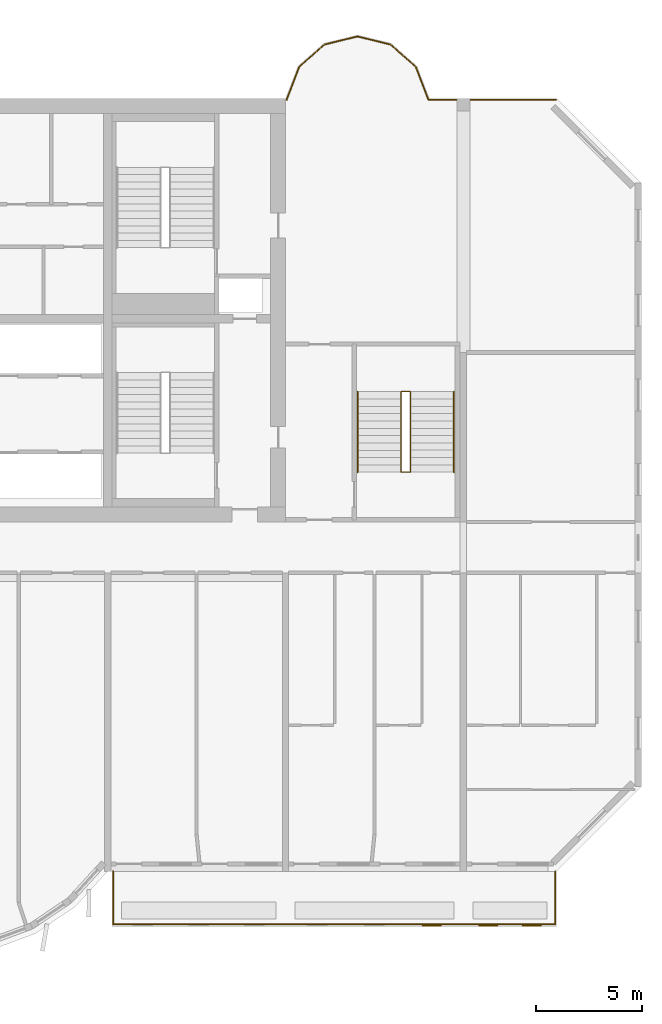
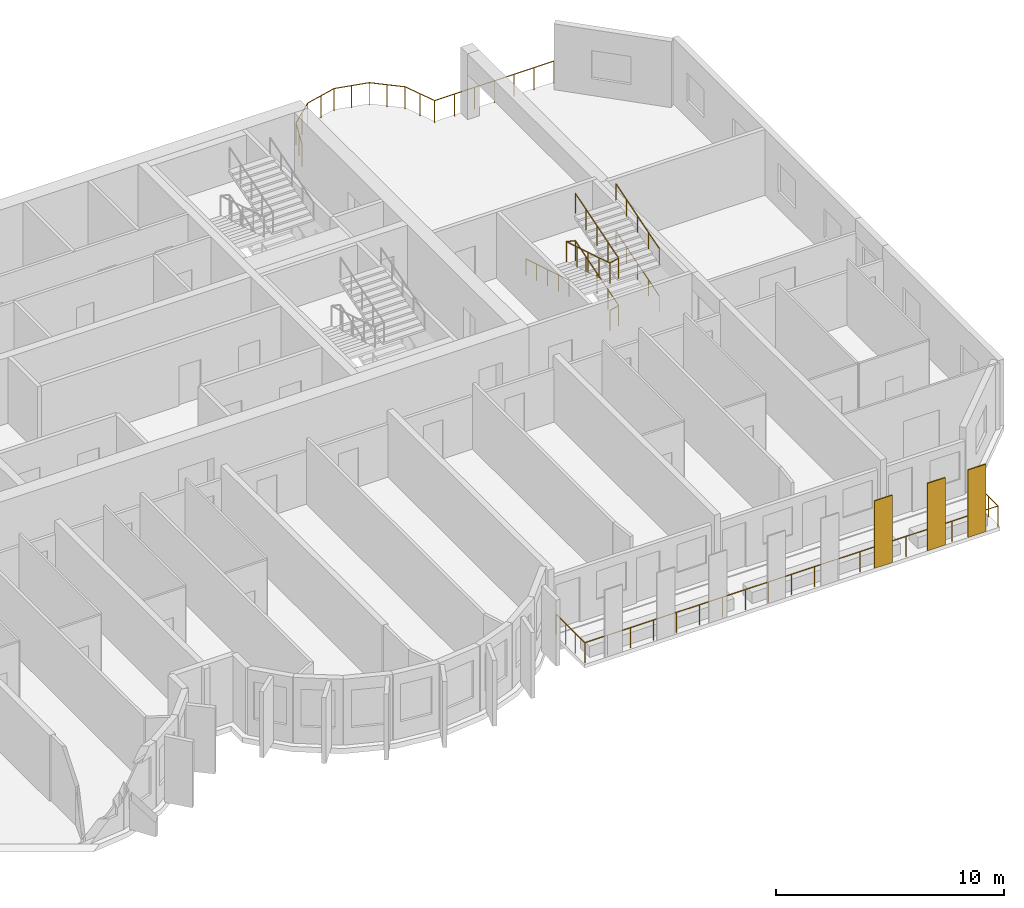
# One storey, part 12 of 13: 6 railings, 3 coverings.
"""IFC4 building model written with IfcOpenShell, lengths in metres."""

from ifc_helpers import new_model, si_unit, direction, frame, origin, origin_2d, place, context, subcontext, project, spatial, rectangle, circle, extrude, source, transform, mapped, material, layer, layer_set, type_object, element, save


model = new_model("IFC4")

# Units and contexts
model_context = context("Model", 3, precision=1e-05, world=origin(), true_north=direction((0.0, 1.0)))
body_context = subcontext(model_context, "Body", "Model", "MODEL_VIEW")
ifc_project = project(units=[si_unit("LENGTHUNIT", "METRE"), si_unit("AREAUNIT", "SQUARE_METRE"), si_unit("VOLUMEUNIT", "CUBIC_METRE"), si_unit("PLANEANGLEUNIT", "RADIAN"), si_unit("MASSUNIT", "GRAM", prefix="KILO")], contexts=[model_context])

# Site, building, storey
site_placement = place(None, origin())
site = spatial("IfcSite", under=ifc_project, at=site_placement, CompositionType="ELEMENT")
building_placement = place(site_placement, origin())
building = spatial("IfcBuilding", under=site, at=building_placement, Name="Vanashikhar Sky Hotel", CompositionType="ELEMENT")
storey_placement = place(building_placement, frame((0.0, 0.0, 170.60009765625)))
storey = spatial("IfcBuildingStorey", under=building, at=storey_placement, Name="L41", CompositionType="ELEMENT", Elevation=170.60009765625)

# Coverings
ifc_material_1 = material(Name="Terracotta", Category="masonry")
ifc_layer = layer(ifc_material_1, 0.06005859375)
ifc_layer_set = layer_set([ifc_layer], Name="Terracotta baguette screen")
covering_type = type_object("IfcCoveringType", Name="Terracotta baguette screen", PredefinedType="CLADDING", material=ifc_layer_set)
shared_shape_1 = source(origin(), body_context, "Body", "SweptSolid", [
    extrude(rectangle(XDim=0.89990234375, YDim=0.06005859375, at=origin_2d()), origin(), (0.0, 0.0, 1.0), 3.60009765625),
])
for number, where, z_axis, x_axis, name in (
    (1, (82.5, 2.929931640625, -0.050048828125), (0.0, 0.0, 1.0), (1.0, 0.0, 0.0), "Terracotta screen"),
    (2, (85.175048828125, 2.929931640625, -0.050048828125), (0.0, 0.0, 1.0), (1.0, 0.0, 0.0), "Terracotta screen"),
    (3, (87.22509765625, 2.929931640625, -0.050048828125), (0.0, 0.0, 1.0), (1.0, 0.0, 0.0), "Terracotta screen"),
):
    element("IfcCovering", number, at=place(storey_placement, frame(where, z_axis=z_axis, x_axis=x_axis)), inside=storey, type_object=covering_type, Name=name, PredefinedType="CLADDING", context=body_context, shape_type="MappedRepresentation", body=[
        mapped(shared_shape_1, transform((0.0, 0.0, 0.0), scale=1.0)),
    ])

# Railings
ifc_material_2 = material(Name="Stainless steel 316", Category="steel")
railing_type_1 = type_object("IfcRailingType", Name="Balcony guard 1100", PredefinedType="GUARDRAIL", material=ifc_material_2)
shared_shape_2 = source(origin(), body_context, "Body", "SweptSolid", [
    extrude(circle(Radius=0.02392578125, at=origin_2d()), frame((0.0, 0.0, 1.076171875), z_axis=(0.0, -1.0, 0.0), x_axis=(1.0, 0.0, 0.0)), (0.0, 0.0, 1.0), 2.5),
    extrude(circle(Radius=0.02392578125, at=origin_2d()), frame((0.0, -2.5, 1.076171875), z_axis=(1.0, 0.0, 0.0), x_axis=(0.0, 1.0, 0.0)), (0.0, 0.0, 1.0), 20.880126953125),
    extrude(circle(Radius=0.02392578125, at=origin_2d()), frame((20.880126953125, -2.5, 1.076171875), z_axis=(0.0, 1.0, 0.0), x_axis=(-1.0, 0.0, 0.0)), (0.0, 0.0, 1.0), 2.5),
    extrude(circle(Radius=0.02099609375, at=origin_2d()), origin(), (0.0, 0.0, 1.0), 1.052001953125),
    extrude(circle(Radius=0.02099609375, at=origin_2d()), frame((0.0, -0.833251953125, 0.0)), (0.0, 0.0, 1.0), 1.052001953125),
    extrude(circle(Radius=0.02099609375, at=origin_2d()), frame((0.0, -1.666748046875, 0.0)), (0.0, 0.0, 1.0), 1.052001953125),
    extrude(circle(Radius=0.02099609375, at=origin_2d()), frame((0.0, -2.5, 0.0)), (0.0, 0.0, 1.0), 1.052001953125),
    extrude(circle(Radius=0.02099609375, at=origin_2d()), frame((1.159912109375, -2.5, 0.0)), (0.0, 0.0, 1.0), 1.052001953125),
    extrude(circle(Radius=0.02099609375, at=origin_2d()), frame((2.320068359375, -2.5, 0.0)), (0.0, 0.0, 1.0), 1.052001953125),
    extrude(circle(Radius=0.02099609375, at=origin_2d()), frame((3.47998046875, -2.5, 0.0)), (0.0, 0.0, 1.0), 1.052001953125),
    extrude(circle(Radius=0.02099609375, at=origin_2d()), frame((4.64013671875, -2.5, 0.0)), (0.0, 0.0, 1.0), 1.052001953125),
    extrude(circle(Radius=0.02099609375, at=origin_2d()), frame((5.800048828125, -2.5, 0.0)), (0.0, 0.0, 1.0), 1.052001953125),
    extrude(circle(Radius=0.02099609375, at=origin_2d()), frame((6.9599609375, -2.5, 0.0)), (0.0, 0.0, 1.0), 1.052001953125),
    extrude(circle(Radius=0.02099609375, at=origin_2d()), frame((8.1201171875, -2.5, 0.0)), (0.0, 0.0, 1.0), 1.052001953125),
    extrude(circle(Radius=0.02099609375, at=origin_2d()), frame((9.280029296875, -2.5, 0.0)), (0.0, 0.0, 1.0), 1.052001953125),
    extrude(circle(Radius=0.02099609375, at=origin_2d()), frame((10.43994140625, -2.5, 0.0)), (0.0, 0.0, 1.0), 1.052001953125),
    extrude(circle(Radius=0.02099609375, at=origin_2d()), frame((11.60009765625, -2.5, 0.0)), (0.0, 0.0, 1.0), 1.052001953125),
    extrude(circle(Radius=0.02099609375, at=origin_2d()), frame((12.760009765625, -2.5, 0.0)), (0.0, 0.0, 1.0), 1.052001953125),
    extrude(circle(Radius=0.02099609375, at=origin_2d()), frame((13.920166015625, -2.5, 0.0)), (0.0, 0.0, 1.0), 1.052001953125),
    extrude(circle(Radius=0.02099609375, at=origin_2d()), frame((15.080078125, -2.5, 0.0)), (0.0, 0.0, 1.0), 1.052001953125),
    extrude(circle(Radius=0.02099609375, at=origin_2d()), frame((16.239990234375, -2.5, 0.0)), (0.0, 0.0, 1.0), 1.052001953125),
    extrude(circle(Radius=0.02099609375, at=origin_2d()), frame((17.400146484375, -2.5, 0.0)), (0.0, 0.0, 1.0), 1.052001953125),
    extrude(circle(Radius=0.02099609375, at=origin_2d()), frame((18.56005859375, -2.5, 0.0)), (0.0, 0.0, 1.0), 1.052001953125),
    extrude(circle(Radius=0.02099609375, at=origin_2d()), frame((19.72021484375, -2.5, 0.0)), (0.0, 0.0, 1.0), 1.052001953125),
    extrude(circle(Radius=0.02099609375, at=origin_2d()), frame((20.880126953125, -2.5, 0.0)), (0.0, 0.0, 1.0), 1.052001953125),
    extrude(circle(Radius=0.02099609375, at=origin_2d()), frame((20.880126953125, -1.666748046875, 0.0)), (0.0, 0.0, 1.0), 1.052001953125),
    extrude(circle(Radius=0.02099609375, at=origin_2d()), frame((20.880126953125, -0.833251953125, 0.0)), (0.0, 0.0, 1.0), 1.052001953125),
    extrude(circle(Radius=0.02099609375, at=origin_2d()), frame((20.880126953125, 0.0, 0.0)), (0.0, 0.0, 1.0), 1.052001953125),
])
railing_1_placement = place(storey_placement, frame((67.4599609375, 5.5, -0.050048828125)))
element("IfcRailing", 4, at=railing_1_placement, inside=storey, type_object=railing_type_1, Name="Balcony guard", PredefinedType="GUARDRAIL", context=body_context, shape_type="MappedRepresentation", body=[
    mapped(shared_shape_2, transform((0.0, 0.0, 0.0), scale=1.0)),
])
railing_type_2 = type_object("IfcRailingType", Name="Refuge terrace guard 1200", PredefinedType="GUARDRAIL", material=ifc_material_2)
shared_shape_3 = source(origin(), body_context, "Body", "SweptSolid", [
    extrude(circle(Radius=0.02392578125, at=origin_2d()), frame((0.0, 0.0, 1.17578125), z_axis=(-1.0, 0.0, 0.0), x_axis=(0.0, -1.0, 0.0)), (0.0, 0.0, 1.0), 6.019287109375),
    extrude(circle(Radius=0.02392578125, at=origin_2d()), frame((-6.019287109375, 0.0, 1.17578125), z_axis=(-0.357682612009, 0.933843214392, 0.0), x_axis=(-0.933843214392, -0.357682612009, 0.0)), (0.0, 0.0, 1.0), 1.666015625),
    extrude(circle(Radius=0.02392578125, at=origin_2d()), frame((-6.615234375, 1.555908203125, 1.17578125), z_axis=(-0.749699987355, 0.661777854692, 0.0), x_axis=(-0.661777854692, -0.749699987355, 0.0)), (0.0, 0.0, 1.0), 1.602294921875),
    extrude(circle(Radius=0.02392578125, at=origin_2d()), frame((-7.81640625, 2.6162109375, 1.17578125), z_axis=(-0.971138901218, 0.238514642196, 0.0), x_axis=(-0.238514642196, -0.971138901218, 0.0)), (0.0, 0.0, 1.0), 1.600830078125),
    extrude(circle(Radius=0.02392578125, at=origin_2d()), frame((-9.37109375, 2.998046875, 1.17578125), z_axis=(-0.971138901218, -0.238514642196, 0.0), x_axis=(0.238514642196, -0.971138901218, 0.0)), (0.0, 0.0, 1.0), 1.600830078125),
    extrude(circle(Radius=0.02392578125, at=origin_2d()), frame((-10.92578125, 2.6162109375, 1.17578125), z_axis=(-0.749699987355, -0.661777854692, 0.0), x_axis=(0.661777854692, -0.749699987355, 0.0)), (0.0, 0.0, 1.0), 1.602294921875),
    extrude(circle(Radius=0.02392578125, at=origin_2d()), frame((-12.126953125, 1.555908203125, 1.17578125), z_axis=(-0.357682612009, -0.933843214392, 0.0), x_axis=(0.933843214392, -0.357682612009, 0.0)), (0.0, 0.0, 1.0), 1.666015625),
    extrude(circle(Radius=0.02099609375, at=origin_2d()), origin(), (0.0, 0.0, 1.0), 1.15185546875),
    extrude(circle(Radius=0.02099609375, at=origin_2d()), frame((-1.003173828125, 0.0, 0.0)), (0.0, 0.0, 1.0), 1.15185546875),
    extrude(circle(Radius=0.02099609375, at=origin_2d()), frame((-2.00634765625, 0.0, 0.0)), (0.0, 0.0, 1.0), 1.15185546875),
    extrude(circle(Radius=0.02099609375, at=origin_2d()), frame((-3.009765625, 0.0, 0.0)), (0.0, 0.0, 1.0), 1.15185546875),
    extrude(circle(Radius=0.02099609375, at=origin_2d()), frame((-4.012939453125, 0.0, 0.0)), (0.0, 0.0, 1.0), 1.15185546875),
    extrude(circle(Radius=0.02099609375, at=origin_2d()), frame((-5.01611328125, 0.0, 0.0)), (0.0, 0.0, 1.0), 1.15185546875),
    extrude(circle(Radius=0.02099609375, at=origin_2d()), frame((-6.019287109375, 0.0, 0.0)), (0.0, 0.0, 1.0), 1.15185546875),
    extrude(circle(Radius=0.02099609375, at=origin_2d()), frame((-6.3173828125, 0.77783203125, 0.0)), (0.0, 0.0, 1.0), 1.15185546875),
    extrude(circle(Radius=0.02099609375, at=origin_2d()), frame((-6.615234375, 1.555908203125, 0.0)), (0.0, 0.0, 1.0), 1.15185546875),
    extrude(circle(Radius=0.02099609375, at=origin_2d()), frame((-7.2158203125, 2.0859375, 0.0)), (0.0, 0.0, 1.0), 1.15185546875),
    extrude(circle(Radius=0.02099609375, at=origin_2d()), frame((-7.81640625, 2.6162109375, 0.0)), (0.0, 0.0, 1.0), 1.15185546875),
    extrude(circle(Radius=0.02099609375, at=origin_2d()), frame((-8.59375, 2.80712890625, 0.0)), (0.0, 0.0, 1.0), 1.15185546875),
    extrude(circle(Radius=0.02099609375, at=origin_2d()), frame((-9.37109375, 2.998046875, 0.0)), (0.0, 0.0, 1.0), 1.15185546875),
    extrude(circle(Radius=0.02099609375, at=origin_2d()), frame((-10.1484375, 2.80712890625, 0.0)), (0.0, 0.0, 1.0), 1.15185546875),
    extrude(circle(Radius=0.02099609375, at=origin_2d()), frame((-10.92578125, 2.6162109375, 0.0)), (0.0, 0.0, 1.0), 1.15185546875),
    extrude(circle(Radius=0.02099609375, at=origin_2d()), frame((-11.5263671875, 2.0859375, 0.0)), (0.0, 0.0, 1.0), 1.15185546875),
    extrude(circle(Radius=0.02099609375, at=origin_2d()), frame((-12.126953125, 1.555908203125, 0.0)), (0.0, 0.0, 1.0), 1.15185546875),
    extrude(circle(Radius=0.02099609375, at=origin_2d()), frame((-12.4248046875, 0.77783203125, 0.0)), (0.0, 0.0, 1.0), 1.15185546875),
    extrude(circle(Radius=0.02099609375, at=origin_2d()), frame((-12.722900390625, 0.0, 0.0)), (0.0, 0.0, 1.0), 1.15185546875),
])
railing_2_placement = place(storey_placement, frame((88.37109375, 41.929931640625, 0.0)))
element("IfcRailing", 5, at=railing_2_placement, inside=storey, type_object=railing_type_2, Name="Refuge terrace guard", PredefinedType="GUARDRAIL", context=body_context, shape_type="MappedRepresentation", body=[
    mapped(shared_shape_3, transform((0.0, 0.0, 0.0), scale=1.0)),
])
ifc_material_3 = material(Name="Steel S355", Category="steel")
railing_type_3 = type_object("IfcRailingType", Name="Stair handrail 900", PredefinedType="HANDRAIL", material=ifc_material_3)
shared_shape_4 = source(origin(), body_context, "Body", "SweptSolid", [
    extrude(circle(Radius=0.02392578125, at=origin_2d()), frame((0.0, 0.0, 0.8759765625), z_axis=(0.0, 0.956345846891, 0.292237268557), x_axis=(-1.0, 0.0, 0.0)), (0.0, 0.0, 1.0), 3.97314453125),
    extrude(circle(Radius=0.02099609375, at=origin_2d()), origin(), (0.0, 0.0, 1.0), 0.851806640625),
    extrude(circle(Radius=0.02099609375, at=origin_2d()), frame((0.0, 0.949951171875, 0.290283203125)), (0.0, 0.0, 1.0), 0.851806640625),
    extrude(circle(Radius=0.02099609375, at=origin_2d()), frame((0.0, 1.89990234375, 0.58056640625)), (0.0, 0.0, 1.0), 0.851806640625),
    extrude(circle(Radius=0.02099609375, at=origin_2d()), frame((0.0, 2.849853515625, 0.870849609375)), (0.0, 0.0, 1.0), 0.851806640625),
    extrude(circle(Radius=0.02099609375, at=origin_2d()), frame((0.0, 3.7998046875, 1.1611328125)), (0.0, 0.0, 1.0), 0.851806640625),
])
for number, where, name in (
    (6, (83.550048828125, 24.35009765625, 0.10546875), "Exit stair 4 handrail"),
    (7, (83.550048828125, 24.35009765625, 2.638671875), "Exit stair 4 handrail"),
):
    element("IfcRailing", number, at=place(storey_placement, frame(where)), inside=storey, type_object=railing_type_3, Name=name, PredefinedType="HANDRAIL", context=body_context, shape_type="MappedRepresentation", body=[
        mapped(shared_shape_4, transform((0.0, 0.0, 0.0), scale=1.0)),
    ])
shared_shape_5 = source(origin(), body_context, "Body", "SweptSolid", [
    extrude(circle(Radius=0.02392578125, at=origin_2d()), frame((0.0, 0.0, 0.8759765625), z_axis=(0.0, -0.956345846891, 0.292237268557), x_axis=(1.0, 0.0, 0.0)), (0.0, 0.0, 1.0), 3.97314453125),
    extrude(circle(Radius=0.02099609375, at=origin_2d()), origin(), (0.0, 0.0, 1.0), 0.851806640625),
    extrude(circle(Radius=0.02099609375, at=origin_2d()), frame((0.0, -0.949951171875, 0.290283203125)), (0.0, 0.0, 1.0), 0.851806640625),
    extrude(circle(Radius=0.02099609375, at=origin_2d()), frame((0.0, -1.89990234375, 0.58056640625)), (0.0, 0.0, 1.0), 0.851806640625),
    extrude(circle(Radius=0.02099609375, at=origin_2d()), frame((0.0, -2.849853515625, 0.870849609375)), (0.0, 0.0, 1.0), 0.851806640625),
    extrude(circle(Radius=0.02099609375, at=origin_2d()), frame((0.0, -3.7998046875, 1.1611328125)), (0.0, 0.0, 1.0), 0.851806640625),
])
railing_3_placement = place(storey_placement, frame((79.0, 28.14990234375, 1.3720703125)))
element("IfcRailing", 8, at=railing_3_placement, inside=storey, type_object=railing_type_3, Name="Exit stair 4 handrail", PredefinedType="HANDRAIL", context=body_context, shape_type="MappedRepresentation", body=[
    mapped(shared_shape_5, transform((0.0, 0.0, 0.0), scale=1.0)),
])
railing_type_4 = type_object("IfcRailingType", Name="Stair guard 1100", PredefinedType="GUARDRAIL", material=ifc_material_3)
shared_shape_6 = source(origin(), body_context, "Body", "SweptSolid", [
    extrude(circle(Radius=0.02392578125, at=origin_2d()), frame((0.0, 0.0, 1.076171875), z_axis=(0.973610808694, 0.0, 0.228214796178), x_axis=(0.0, 1.0, 0.0)), (0.0, 0.0, 1.0), 0.462158203125),
    extrude(circle(Radius=0.02392578125, at=origin_2d()), frame((0.449951171875, 0.0, 1.181640625), z_axis=(0.0, 0.956345846891, 0.292237268557), x_axis=(-1.0, 0.0, 0.0)), (0.0, 0.0, 1.0), 3.97314453125),
    extrude(circle(Radius=0.02392578125, at=origin_2d()), frame((0.449951171875, 3.7998046875, 2.3427734375), z_axis=(-0.973610808694, 0.0, 0.228214796178), x_axis=(0.0, -1.0, 0.0)), (0.0, 0.0, 1.0), 0.462158203125),
    extrude(circle(Radius=0.02392578125, at=origin_2d()), frame((0.0, 3.7998046875, 2.4482421875), z_axis=(0.0, -0.956345846891, 0.292237268557), x_axis=(1.0, 0.0, 0.0)), (0.0, 0.0, 1.0), 3.97314453125),
    extrude(circle(Radius=0.02392578125, at=origin_2d()), frame((0.0, 0.0, 3.609375), z_axis=(0.973610808694, 0.0, 0.228214796178), x_axis=(0.0, 1.0, 0.0)), (0.0, 0.0, 1.0), 0.462158203125),
    extrude(circle(Radius=0.02392578125, at=origin_2d()), frame((0.449951171875, 0.0, 3.71484375), z_axis=(0.0, 0.956345846891, 0.292237268557), x_axis=(-1.0, 0.0, 0.0)), (0.0, 0.0, 1.0), 3.97314453125),
    extrude(circle(Radius=0.02099609375, at=origin_2d()), origin(), (0.0, 0.0, 1.0), 1.052001953125),
    extrude(circle(Radius=0.02099609375, at=origin_2d()), frame((0.449951171875, 0.0, 0.10546875)), (0.0, 0.0, 1.0), 1.052001953125),
    extrude(circle(Radius=0.02099609375, at=origin_2d()), frame((0.449951171875, 0.949951171875, 0.395751953125)), (0.0, 0.0, 1.0), 1.052001953125),
    extrude(circle(Radius=0.02099609375, at=origin_2d()), frame((0.449951171875, 1.89990234375, 0.68603515625)), (0.0, 0.0, 1.0), 1.052001953125),
    extrude(circle(Radius=0.02099609375, at=origin_2d()), frame((0.449951171875, 2.849853515625, 0.976318359375)), (0.0, 0.0, 1.0), 1.052001953125),
    extrude(circle(Radius=0.02099609375, at=origin_2d()), frame((0.449951171875, 3.7998046875, 1.2666015625)), (0.0, 0.0, 1.0), 1.052001953125),
    extrude(circle(Radius=0.02099609375, at=origin_2d()), frame((0.0, 3.7998046875, 1.3720703125)), (0.0, 0.0, 1.0), 1.052001953125),
    extrude(circle(Radius=0.02099609375, at=origin_2d()), frame((0.0, 2.849853515625, 1.662353515625)), (0.0, 0.0, 1.0), 1.052001953125),
    extrude(circle(Radius=0.02099609375, at=origin_2d()), frame((0.0, 1.89990234375, 1.95263671875)), (0.0, 0.0, 1.0), 1.052001953125),
    extrude(circle(Radius=0.02099609375, at=origin_2d()), frame((0.0, 0.949951171875, 2.242919921875)), (0.0, 0.0, 1.0), 1.052001953125),
    extrude(circle(Radius=0.02099609375, at=origin_2d()), frame((0.0, 0.0, 2.533203125)), (0.0, 0.0, 1.0), 1.052001953125),
    extrude(circle(Radius=0.02099609375, at=origin_2d()), frame((0.449951171875, 0.0, 2.638671875)), (0.0, 0.0, 1.0), 1.052001953125),
    extrude(circle(Radius=0.02099609375, at=origin_2d()), frame((0.449951171875, 0.949951171875, 2.928955078125)), (0.0, 0.0, 1.0), 1.052001953125),
    extrude(circle(Radius=0.02099609375, at=origin_2d()), frame((0.449951171875, 1.89990234375, 3.21923828125)), (0.0, 0.0, 1.0), 1.052001953125),
    extrude(circle(Radius=0.02099609375, at=origin_2d()), frame((0.449951171875, 2.849853515625, 3.509521484375)), (0.0, 0.0, 1.0), 1.052001953125),
    extrude(circle(Radius=0.02099609375, at=origin_2d()), frame((0.449951171875, 3.7998046875, 3.7998046875)), (0.0, 0.0, 1.0), 1.052001953125),
])
railing_4_placement = place(storey_placement, frame((81.050048828125, 24.35009765625, 0.0)))
element("IfcRailing", 9, at=railing_4_placement, inside=storey, type_object=railing_type_4, Name="Exit stair 4 guard", PredefinedType="GUARDRAIL", context=body_context, shape_type="MappedRepresentation", body=[
    mapped(shared_shape_6, transform((0.0, 0.0, 0.0), scale=1.0)),
])

save(model, "model.ifc")
